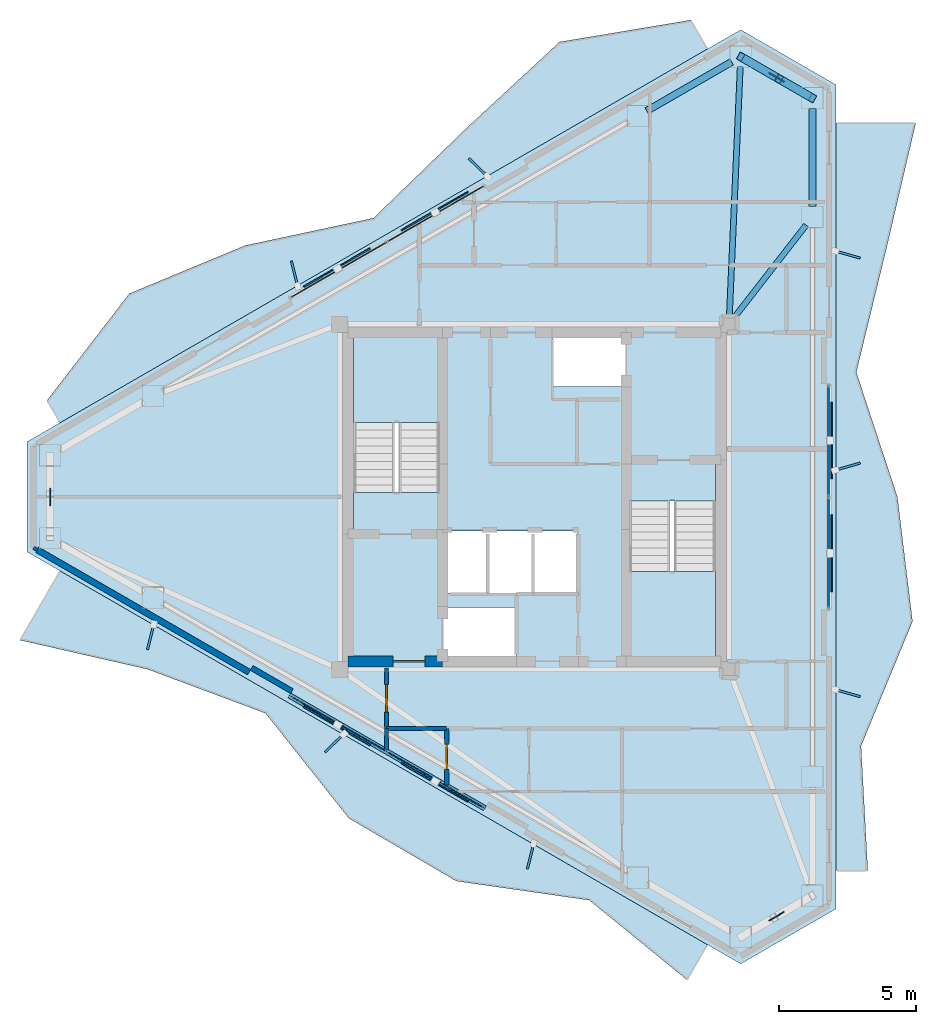
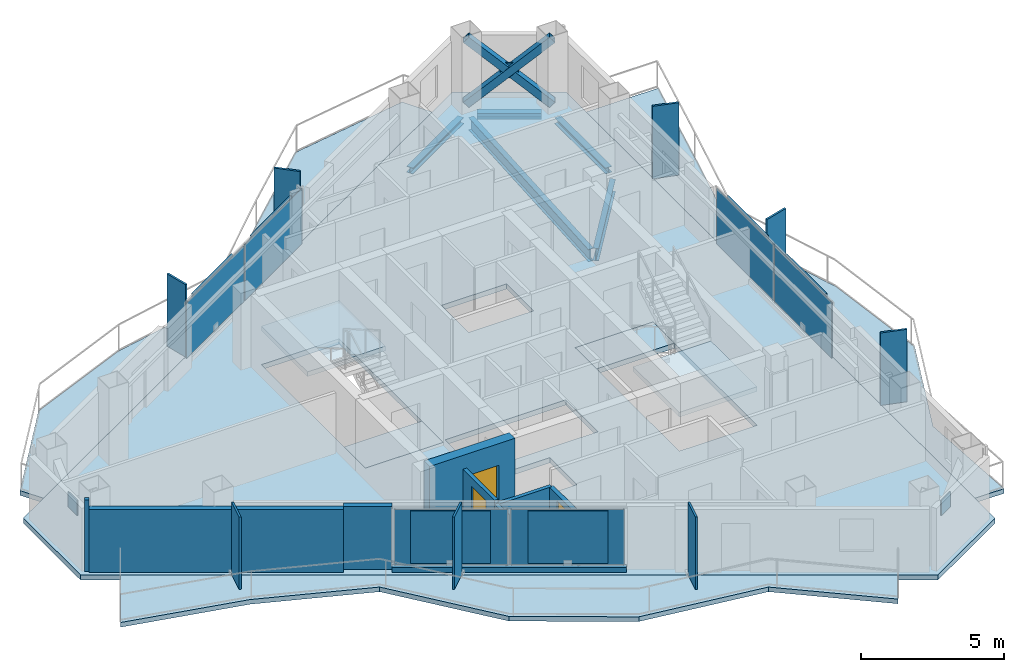
# One storey, part 13 of 18: 23 plates, 9 walls, 8 slabs, 5 beams, 3 doors, 3 members, 3 openings, 5 elements without a shape of their own.
"""IFC4 building model written with IfcOpenShell, lengths in metres."""

from ifc_helpers import new_model, si_unit, direction, frame, frame_2d, origin, origin_2d, place, context, subcontext, project, spatial, polyline, rectangle, hollow_rectangle, i_section, outline, extrude, material, layer, layer_set, material_profile, profile_set, type_object, element, fill, aggregate, save


model = new_model("IFC4")

# Units and contexts
model_context = context("Model", 3, precision=1e-05, world=origin(), true_north=direction((0.0, 1.0)))
body_context = subcontext(model_context, "Body", "Model", "MODEL_VIEW")
ifc_project = project(units=[si_unit("LENGTHUNIT", "METRE"), si_unit("AREAUNIT", "SQUARE_METRE"), si_unit("VOLUMEUNIT", "CUBIC_METRE"), si_unit("PLANEANGLEUNIT", "RADIAN"), si_unit("MASSUNIT", "GRAM", prefix="KILO")], contexts=[model_context])

# Site, building, storey
site_placement = place(None, origin())
site = spatial("IfcSite", under=ifc_project, at=site_placement, CompositionType="ELEMENT")
building_placement = place(site_placement, origin())
building = spatial("IfcBuilding", under=site, at=building_placement, Name="Mersakhor Tower and Convention Hall", CompositionType="ELEMENT")
storey_placement = place(building_placement, frame((0.0, 0.0, 226.5)))
storey = spatial("IfcBuildingStorey", under=building, at=storey_placement, Name="L63", CompositionType="ELEMENT", Elevation=226.5)

# Beams
ifc_material_1 = material(Name="Steel S355", Category="steel")
ifc_material_profile_1 = material_profile(ifc_material_1, i_section(OverallWidth=0.2099609375, OverallDepth=0.53662109375, WebThickness=0.0107421875, FlangeThickness=0.017333984375, at=origin_2d()), Name="UB 533x210x101")
ifc_profile_set_1 = profile_set([ifc_material_profile_1], Name="Steel S355")
beam_type_1 = type_object("IfcBeamType", Name="BM-FB-533", PredefinedType="BEAM", material=ifc_profile_set_1)
beam_1_placement = place(storey_placement, frame((36.1123046875, 33.32958984375, -0.48828125), z_axis=(0.043540774519, 0.999051650794, 0.0), x_axis=(-0.999051650794, 0.043540774519, 0.0)))
element("IfcBeam", 1, at=beam_1_placement, inside=storey, type_object=beam_type_1, Name="L63 Primary Floor Girder FG-2", PredefinedType="BEAM", context=body_context, shape_type="SweptSolid", body=[
    extrude(i_section(OverallWidth=0.2099609375, OverallDepth=0.53662109375, WebThickness=0.0107421875, FlangeThickness=0.017333984375, at=origin_2d()), origin(), (0.0, 0.0, 1.0), 9.10595703125),
])
beam_2_placement = place(storey_placement, frame((36.27197265625, 33.27099609375, -0.48828125), z_axis=(0.614066533088, 0.789254263809, 0.0), x_axis=(-0.789254263809, 0.614066533088, 0.0)))
element("IfcBeam", 2, at=beam_2_placement, inside=storey, type_object=beam_type_1, Name="L63 Primary Floor Girder FG-3", PredefinedType="BEAM", context=body_context, shape_type="SweptSolid", body=[
    extrude(i_section(OverallWidth=0.2099609375, OverallDepth=0.53662109375, WebThickness=0.0107421875, FlangeThickness=0.017333984375, at=origin_2d()), origin(), (0.0, 0.0, 1.0), 4.295166015625),
])
ifc_material_2 = material(Name="Steel S355", Category="steel")
ifc_material_profile_2 = material_profile(ifc_material_2, i_section(OverallWidth=0.25634765625, OverallDepth=0.26025390625, WebThickness=0.01025390625, FlangeThickness=0.017333984375, at=origin_2d()), Name="UC 254x254x89")
ifc_profile_set_2 = profile_set([ifc_material_profile_2], Name="Steel S355")
beam_type_2 = type_object("IfcBeamType", Name="BM-SPD-UC254", PredefinedType="SPANDREL", material=ifc_profile_set_2)
beam_3_placement = place(storey_placement, frame((33.1005859375, 40.829345703125, -0.35009765625), z_axis=(0.866002454009, 0.500039748071, 0.0), x_axis=(-0.500039748071, 0.866002454009, 0.0)))
element("IfcBeam", 3, at=beam_3_placement, inside=storey, type_object=beam_type_2, Name="L63 Perimeter Spandrel Beam SPB-03", PredefinedType="SPANDREL", context=body_context, shape_type="SweptSolid", body=[
    extrude(i_section(OverallWidth=0.25634765625, OverallDepth=0.26025390625, WebThickness=0.01025390625, FlangeThickness=0.017333984375, at=origin_2d()), origin(), (0.0, 0.0, 1.0), 3.574462890625),
])
beam_4_placement = place(storey_placement, frame((36.854248046875, 42.61669921875, -0.35009765625), z_axis=(0.866016678684, -0.500015112013, 0.0), x_axis=(0.500015112013, 0.866016678684, 0.0)))
element("IfcBeam", 4, at=beam_4_placement, inside=storey, type_object=beam_type_2, Name="L63 Perimeter Spandrel Beam SPB-04", PredefinedType="SPANDREL", context=body_context, shape_type="SweptSolid", body=[
    extrude(i_section(OverallWidth=0.25634765625, OverallDepth=0.26025390625, WebThickness=0.01025390625, FlangeThickness=0.017333984375, at=origin_2d()), origin(), (0.0, 0.0, 1.0), 2.2626953125),
])
beam_5_placement = place(storey_placement, frame((39.142822265625, 40.915283203125, -0.35009765625), z_axis=(0.0, -1.0, 0.0), x_axis=(1.0, 0.0, 0.0)))
element("IfcBeam", 5, at=beam_5_placement, inside=storey, type_object=beam_type_2, Name="L63 Perimeter Spandrel Beam SPB-05", PredefinedType="SPANDREL", context=body_context, shape_type="SweptSolid", body=[
    extrude(i_section(OverallWidth=0.25634765625, OverallDepth=0.26025390625, WebThickness=0.01025390625, FlangeThickness=0.017333984375, at=origin_2d()), origin(), (0.0, 0.0, 1.0), 3.574462890625),
])

# Members
ifc_material_3 = material(Name="Steel S355", Category="steel")
ifc_material_profile_3 = material_profile(ifc_material_3, hollow_rectangle(XDim=0.300048828125, YDim=0.300048828125, WallThickness=0.01611328125, at=origin_2d()), Name="SHS 300x300x16")
ifc_profile_set_3 = profile_set([ifc_material_profile_3], Name="Steel S355")
member_type = type_object("IfcMemberType", Name="MB-BRC-SHS300", PredefinedType="BRACE", material=ifc_profile_set_3)
member_placement = place(storey_placement, frame((36.525146484375, 42.806640625, 0.14990234375), z_axis=(0.637423019708, -0.367995569109, 0.676957277132), x_axis=(0.499978822259, 0.866037630414, 0.0)))
element("IfcMember", 6, at=member_placement, inside=storey, type_object=member_type, Name="L63 Chamfer Braced Frame Diagonal CB-1A", PredefinedType="BRACE", context=body_context, shape_type="SweptSolid", body=[
    extrude(hollow_rectangle(XDim=0.300048828125, YDim=0.300048828125, WallThickness=0.01611328125, at=origin_2d()), origin(), (0.0, 0.0, 1.0), 4.106689453125),
])
for number, where, z_axis, x_axis, name in (
    (7, (39.142822265625, 41.29541015625, 0.14990234375), (-0.6374128848, 0.367990943802, 0.676969334291), (-0.499980071345, -0.866036909293, 0.0), "L63 Chamfer Braced Frame Diagonal CB-1B Lower Half"),
    (8, (37.73291015625, 42.109375, 1.647216796875), (-0.6374128848, 0.367990943802, 0.676969334291), (-0.499980071345, -0.866036909293, 0.0), "L63 Chamfer Braced Frame Diagonal CB-1B Upper Half"),
):
    element("IfcMember", number, at=place(storey_placement, frame(where, z_axis=z_axis, x_axis=x_axis)), inside=storey, type_object=member_type, Name=name, PredefinedType="BRACE", context=body_context, shape_type="SweptSolid", body=[
        extrude(hollow_rectangle(XDim=0.300048828125, YDim=0.300048828125, WallThickness=0.01611328125, at=origin_2d()), origin(), (0.0, 0.0, 1.0), 1.894775390625),
    ])

# Curtain wall, plates
ifc_material_4 = material(Name="Dark solar low-E aluminium curtain wall", Category="aluminium")
ifc_layer_1 = layer(ifc_material_4, 0.179931640625)
ifc_layer_set_1 = layer_set([ifc_layer_1], Name="Dark solar low-E aluminium curtain wall")
curtain_wall_type = type_object("IfcCurtainWallType", Name="CW-SYS-03", PredefinedType="USERDEFINED", material=ifc_layer_set_1)
curtain_wall_1_placement = place(storey_placement, origin())
curtain_wall_1 = element("IfcCurtainWall", 9, at=curtain_wall_1_placement, inside=storey, type_object=curtain_wall_type, Name="L63 Dark-Glass Curtain Wall F1-B2", ObjectType="CURTAIN WALL", PredefinedType="USERDEFINED")
ifc_material_5 = material(Name="Dark solar double glazing", Category="glass")
ifc_layer_2 = layer(ifc_material_5, 0.031982421875)
ifc_layer_set_2 = layer_set([ifc_layer_2], Name="Dark solar double glazing")
plate_type_1 = type_object("IfcPlateType", Name="CWP-GLZ-32", PredefinedType="CURTAIN_PANEL", material=ifc_layer_set_2)
plate_1_placement = place(storey_placement, frame((21.863525390625, 35.034423828125, 0.260009765625), z_axis=(0.0, 0.0, 1.0), x_axis=(0.86602285698, 0.500004411169, 0.0)))
plate_1 = element("IfcPlate", 10, at=plate_1_placement, type_object=plate_type_1, Name="CW-03 panel 1.1", PredefinedType="CURTAIN_PANEL", context=body_context, shape_type="SweptSolid", body=[
    extrude(rectangle(XDim=4.00146484375, YDim=0.031982421875, at=origin_2d()), origin(), (0.0, 0.0, 1.0), 2.3798828125),
])
plate_2_placement = place(storey_placement, frame((25.393798828125, 37.07275390625, 0.260009765625), z_axis=(0.0, 0.0, 1.0), x_axis=(0.86602285698, 0.500004411169, 0.0)))
plate_2 = element("IfcPlate", 11, at=plate_2_placement, type_object=plate_type_1, Name="CW-03 panel 2.1", PredefinedType="CURTAIN_PANEL", context=body_context, shape_type="SweptSolid", body=[
    extrude(rectangle(XDim=4.00146484375, YDim=0.031982421875, at=origin_2d()), origin(), (0.0, 0.0, 1.0), 2.3798828125),
])
aggregate(curtain_wall_1, [plate_1, plate_2])

curtain_wall_2_placement = place(storey_placement, origin())
curtain_wall_2 = element("IfcCurtainWall", 12, at=curtain_wall_2_placement, inside=storey, type_object=curtain_wall_type, Name="L63 Dark-Glass Curtain Wall F2-B2", ObjectType="CURTAIN WALL", PredefinedType="USERDEFINED")
plate_3_placement = place(storey_placement, frame((39.742919921875, 28.7880859375, 0.260009765625), z_axis=(0.0, 0.0, 1.0), x_axis=(0.0, -1.0, 0.0)))
plate_3 = element("IfcPlate", 13, at=plate_3_placement, type_object=plate_type_1, Name="CW-03 panel 1.1", PredefinedType="CURTAIN_PANEL", context=body_context, shape_type="SweptSolid", body=[
    extrude(rectangle(XDim=4.00146484375, YDim=0.031982421875, at=origin_2d()), origin(), (0.0, 0.0, 1.0), 2.3798828125),
])
plate_4_placement = place(storey_placement, frame((39.742919921875, 24.7119140625, 0.260009765625), z_axis=(0.0, 0.0, 1.0), x_axis=(0.0, -1.0, 0.0)))
plate_4 = element("IfcPlate", 14, at=plate_4_placement, type_object=plate_type_1, Name="CW-03 panel 2.1", PredefinedType="CURTAIN_PANEL", context=body_context, shape_type="SweptSolid", body=[
    extrude(rectangle(XDim=4.00146484375, YDim=0.031982421875, at=origin_2d()), origin(), (0.0, 0.0, 1.0), 2.3798828125),
])
aggregate(curtain_wall_2, [plate_3, plate_4])

curtain_wall_3_placement = place(storey_placement, origin())
curtain_wall_3 = element("IfcCurtainWall", 15, at=curtain_wall_3_placement, inside=storey, type_object=curtain_wall_type, Name="L63 Dark-Glass Curtain Wall F3-B2", ObjectType="CURTAIN WALL", PredefinedType="USERDEFINED")
plate_5_placement = place(storey_placement, frame((25.393798828125, 16.42724609375, 0.260009765625), z_axis=(0.0, 0.0, 1.0), x_axis=(-0.86602285698, 0.500004411169, 0.0)))
plate_5 = element("IfcPlate", 16, at=plate_5_placement, type_object=plate_type_1, Name="CW-03 panel 1.1", PredefinedType="CURTAIN_PANEL", context=body_context, shape_type="SweptSolid", body=[
    extrude(rectangle(XDim=4.00146484375, YDim=0.031982421875, at=origin_2d()), origin(), (0.0, 0.0, 1.0), 2.3798828125),
])
plate_6_placement = place(storey_placement, frame((21.863525390625, 18.465576171875, 0.260009765625), z_axis=(0.0, 0.0, 1.0), x_axis=(-0.86602285698, 0.500004411169, 0.0)))
plate_6 = element("IfcPlate", 17, at=plate_6_placement, type_object=plate_type_1, Name="CW-03 panel 2.1", PredefinedType="CURTAIN_PANEL", context=body_context, shape_type="SweptSolid", body=[
    extrude(rectangle(XDim=4.00146484375, YDim=0.031982421875, at=origin_2d()), origin(), (0.0, 0.0, 1.0), 2.3798828125),
])
aggregate(curtain_wall_3, [plate_5, plate_6])

# Plates
ifc_material_6 = material(Name="Ceramic-clad aluminium Zone 5 ultramarine", Category="aluminium")
ifc_material_7 = material(Name="Ceramic-clad aluminium Zone 1 cobalt-slate", Category="masonry")
ifc_layer_3 = layer(ifc_material_7, 0.080078125)
ifc_layer_set_3 = layer_set([ifc_layer_3], Name="Ceramic-clad aluminium Zone 1 cobalt-slate")
plate_type_2 = type_object("IfcPlateType", Name="PL-FIN-80", PredefinedType="USERDEFINED", material=ifc_layer_set_3)
for number, where, z_axis, x_axis, name in (
    (18, (20.249755859375, 34.8955078125, 0.0), (0.0, 0.0, 1.0), (-0.2419218956, 0.970295726276, 0.0), "L63 Zone 5 Coloured Brise-Soleil Fin F1-1"),
    (19, (26.951171875, 38.7646484375, 0.0), (0.0, 0.0, 1.0), (-0.719339800339, 0.694658370459, 0.0), "L63 Zone 5 Coloured Brise-Soleil Fin F1-2"),
    (20, (40.429443359375, 35.58837890625, 0.0), (0.0, 0.0, 1.0), (0.961261695938, -0.275637355817, 0.0), "L63 Zone 5 Coloured Brise-Soleil Fin F2-1"),
    (21, (40.429443359375, 27.850341796875, 0.0), (0.0, 0.0, 1.0), (0.961261695938, 0.275637355817, 0.0), "L63 Zone 5 Coloured Brise-Soleil Fin F2-2"),
    (22, (40.429443359375, 19.58837890625, 0.0), (0.0, 0.0, 1.0), (0.961261695938, -0.275637355817, 0.0), "L63 Zone 5 Coloured Brise-Soleil Fin F2-3"),
    (23, (28.85693359375, 13.635009765625, 0.0), (0.0, 0.0, 1.0), (-0.2419218956, -0.970295726276, 0.0), "L63 Zone 5 Coloured Brise-Soleil Fin F3-1"),
    (24, (21.701904296875, 17.765869140625, 0.0), (0.0, 0.0, 1.0), (-0.719339800339, -0.694658370459, 0.0), "L63 Zone 5 Coloured Brise-Soleil Fin F3-2"),
    (25, (15.00048828125, 21.635009765625, 0.0), (0.0, 0.0, 1.0), (-0.2419218956, -0.970295726276, 0.0), "L63 Zone 5 Coloured Brise-Soleil Fin F3-3"),
):
    element("IfcPlate", number, at=place(storey_placement, frame(where, z_axis=z_axis, x_axis=x_axis)), inside=storey, type_object=plate_type_2, material=ifc_material_6, Name=name, ObjectType="FIN", PredefinedType="USERDEFINED", context=body_context, shape_type="SweptSolid", body=[
        extrude(rectangle(XDim=0.949951171875, YDim=0.080078125, at=origin_2d()), origin(), (0.0, 0.0, 1.0), 3.10009765625),
    ])
ifc_material_8 = material(Name="Steel S460", Category="steel")
ifc_layer_4 = layer(ifc_material_8, 0.0400390625)
ifc_layer_set_4 = layer_set([ifc_layer_4], Name="Steel S460")
plate_type_3 = type_object("IfcPlateType", Name="PL-GUSSET-40", PredefinedType="SHEET", material=ifc_layer_set_4)
for number, where, z_axis, x_axis, name in (
    (26, (37.833984375, 42.051025390625, 1.22021484375), (0.0, 0.0, 1.0), (-0.866025403784, 0.5, 0.0), "L63 X-Brace Crossing Gusset Node Plate"),
    (27, (37.833984375, 11.448974609375, 1.22021484375), (0.0, 0.0, 1.0), (0.866025403784, 0.5, 0.0), "L63 X-Brace Crossing Gusset Node Plate"),
    (28, (11.33203125, 26.75, 1.22021484375), (0.0, 0.0, 1.0), (0.0, -1.0, 0.0), "L63 X-Brace Crossing Gusset Node Plate"),
):
    element("IfcPlate", number, at=place(storey_placement, frame(where, z_axis=z_axis, x_axis=x_axis)), inside=storey, type_object=plate_type_3, Name=name, PredefinedType="SHEET", context=body_context, shape_type="SweptSolid", body=[
        extrude(rectangle(XDim=0.639892578125, YDim=0.0400390625, at=origin_2d()), origin(), (0.0, 0.0, 1.0), 0.639892578125),
    ])
ifc_material_9 = material(Name="Perforated ceramic cobogo solar screen", Category="aluminium")
ifc_layer_5 = layer(ifc_material_9, 0.055908203125)
ifc_layer_set_5 = layer_set([ifc_layer_5], Name="Perforated ceramic cobogo solar screen")
plate_type_4 = type_object("IfcPlateType", Name="PL-SCR-56", PredefinedType="USERDEFINED", material=ifc_layer_set_5)
for number, where, z_axis, x_axis, name in (
    (29, (21.79833984375, 35.10986328125, 0.39990234375), (0.0, 0.0, 1.0), (0.866025403784, 0.5, 0.0), "L63 Perforated Ceramic Solar Screen F1-1"),
    (30, (25.361083984375, 37.1669921875, 0.39990234375), (0.0, 0.0, 1.0), (0.866025403784, 0.5, 0.0), "L63 Perforated Ceramic Solar Screen F1-2"),
    (31, (39.8408203125, 28.806884765625, 0.39990234375), (0.0, 0.0, 1.0), (0.0, -1.0, 0.0), "L63 Perforated Ceramic Solar Screen F2-1"),
    (32, (39.8408203125, 24.693115234375, 0.39990234375), (0.0, 0.0, 1.0), (0.0, -1.0, 0.0), "L63 Perforated Ceramic Solar Screen F2-2"),
    (33, (25.36083984375, 16.3330078125, 0.39990234375), (0.0, 0.0, 1.0), (-0.866025403784, 0.5, 0.0), "L63 Perforated Ceramic Solar Screen F3-1"),
    (34, (21.798095703125, 18.389892578125, 0.39990234375), (0.0, 0.0, 1.0), (-0.866025403784, 0.5, 0.0), "L63 Perforated Ceramic Solar Screen F3-2"),
):
    element("IfcPlate", number, at=place(storey_placement, frame(where, z_axis=z_axis, x_axis=x_axis)), inside=storey, type_object=plate_type_4, Name=name, ObjectType="SCREEN", PredefinedType="USERDEFINED", context=body_context, shape_type="SweptSolid", body=[
        extrude(rectangle(XDim=2.800048828125, YDim=0.055908203125, at=origin_2d()), origin(), (0.0, 0.0, 1.0), 2.25),
    ])

# Slabs
ifc_material_10 = material(Name="Concrete C45/55", Category="concrete")
ifc_layer_6 = layer(ifc_material_10, 0.199951171875)
ifc_layer_set_6 = layer_set([ifc_layer_6], Name="Concrete C45/55")
slab_type_1 = type_object("IfcSlabType", Name="SL-BAL-200", PredefinedType="FLOOR", material=ifc_layer_set_6)
slab_1_placement = place(storey_placement, frame((0.0, 0.0, -0.199951171875)))
element("IfcSlab", 35, at=slab_1_placement, inside=storey, type_object=slab_type_1, Name="L63 Sinusoidal Balcony Slab Face 1", PredefinedType="FLOOR", context=body_context, shape_type="SweptSolid", body=[
    extrude(outline(polyline([(11.6943359375, 29.451904296875), (35.312744140625, 43.088134765625), (34.70263671875, 44.14501953125), (29.91650390625, 43.34423828125), (26.496826171875, 40.176025390625), (23.128662109375, 36.919677734375), (18.455810546875, 35.922607421875), (14.221923828125, 34.1650390625), (11.22216796875, 30.27001953125), (11.6943359375, 29.451904296875)])), origin(), (0.0, 0.0, 1.0), 0.199951171875),
])
slab_2_placement = place(storey_placement, frame((0.0, 0.0, -0.199951171875)))
element("IfcSlab", 36, at=slab_2_placement, inside=storey, type_object=slab_type_1, Name="L63 Sinusoidal Balcony Slab Face 2", PredefinedType="FLOOR", context=body_context, shape_type="SweptSolid", body=[
    extrude(outline(polyline([(39.992919921875, 40.385986328125), (39.992919921875, 13.114013671875), (41.162841796875, 13.114013671875), (40.917236328125, 17.6591796875), (42.794921875, 22.20458984375), (42.242431640625, 26.75), (40.742919921875, 31.29541015625), (41.850341796875, 35.8408203125), (42.912841796875, 40.385986328125), (39.992919921875, 40.385986328125)])), origin(), (0.0, 0.0, 1.0), 0.199951171875),
])
slab_3_placement = place(storey_placement, frame((0.0, 0.0, -0.199951171875)))
element("IfcSlab", 37, at=slab_3_placement, inside=storey, type_object=slab_type_1, Name="L63 Sinusoidal Balcony Slab Face 3", PredefinedType="FLOOR", context=body_context, shape_type="SweptSolid", body=[
    extrude(outline(polyline([(35.312744140625, 10.411865234375), (11.6943359375, 24.048095703125), (10.234375, 21.519287109375), (14.87353515625, 20.463623046875), (19.192138671875, 18.85302734375), (22.2294921875, 15.023193359375), (26.15478515625, 12.731201171875), (31.00146484375, 12.03515625), (34.5693359375, 9.124267578125), (35.312744140625, 10.411865234375)])), origin(), (0.0, 0.0, 1.0), 0.199951171875),
])
ifc_material_11 = material(Name="Concrete C40/50", Category="concrete")
ifc_layer_7 = layer(ifc_material_11, 0.219970703125)
ifc_layer_set_7 = layer_set([ifc_layer_7], Name="Concrete C40/50")
slab_type_2 = type_object("IfcSlabType", Name="SL-FLR-220", PredefinedType="FLOOR", material=ifc_layer_set_7)
slab_4_placement = place(storey_placement, frame((0.0, 0.0, -0.219970703125)))
element("IfcSlab", 38, at=slab_4_placement, inside=storey, type_object=slab_type_2, Name="L63 ST-1 Structural Stair Floor Landing", PredefinedType="LANDING", context=body_context, shape_type="SweptSolid", body=[
    extrude(outline(polyline([(25.550048828125, 25.39990234375), (25.550048828125, 26.89990234375), (22.39990234375, 26.89990234375), (22.39990234375, 25.39990234375), (25.550048828125, 25.39990234375)])), origin(), (0.0, 0.0, 1.0), 0.219970703125),
])
slab_5_placement = place(storey_placement, frame((0.0, 0.0, -0.219970703125)))
element("IfcSlab", 39, at=slab_5_placement, inside=storey, type_object=slab_type_2, Name="L63 ST-2 Structural Stair Floor Landing", PredefinedType="LANDING", context=body_context, shape_type="SweptSolid", body=[
    extrude(outline(polyline([(32.449951171875, 28.10009765625), (32.449951171875, 26.60009765625), (35.60009765625, 26.60009765625), (35.60009765625, 28.10009765625), (32.449951171875, 28.10009765625)])), origin(), (0.0, 0.0, 1.0), 0.219970703125),
])
slab_6_placement = place(storey_placement, frame((0.0, 0.0, -0.219970703125)))
element("IfcSlab", 40, at=slab_6_placement, inside=storey, type_object=slab_type_2, Name="Tower L63 Structural Floor Slab", PredefinedType="FLOOR", context=body_context, shape_type="SweptSolid", body=[
    extrude(outline(polyline([(10.48193359375, 28.751953125), (36.525146484375, 43.7880859375), (39.992919921875, 41.7861328125), (39.992919921875, 11.7138671875), (36.525146484375, 9.7119140625), (10.48193359375, 24.748046875), (10.48193359375, 28.751953125)]), holes=[polyline([(25.550048828125, 25.39990234375), (25.550048828125, 32.699951171875), (22.39990234375, 32.699951171875), (22.39990234375, 25.39990234375), (25.550048828125, 25.39990234375)]), polyline([(32.449951171875, 28.10009765625), (32.449951171875, 20.800048828125), (35.60009765625, 20.800048828125), (35.60009765625, 28.10009765625), (32.449951171875, 28.10009765625)]), polyline([(25.679931640625, 20.820068359375), (25.679931640625, 22.719970703125), (28.320068359375, 22.719970703125), (28.320068359375, 20.820068359375), (25.679931640625, 20.820068359375)]), polyline([(29.679931640625, 30.780029296875), (29.679931640625, 32.679931640625), (32.320068359375, 32.679931640625), (32.320068359375, 30.780029296875), (29.679931640625, 30.780029296875)]), polyline([(25.679931640625, 23.25), (25.679931640625, 25.5), (30.570068359375, 25.5), (30.570068359375, 23.25), (25.679931640625, 23.25)])]), origin(), (0.0, 0.0, 1.0), 0.219970703125),
])

# Stair, slab
ifc_material_12 = material(Name="Concrete C45/55", Category="concrete")
stair_type = type_object("IfcStairType", Name="ST-TWR-20R", PredefinedType="HALF_TURN_STAIR", material=ifc_material_12)
stair_1_placement = place(storey_placement, origin())
stair_1 = element("IfcStair", 41, at=stair_1_placement, inside=storey, type_object=stair_type, Name="L63 Tower Protected Exit Stair ST-1", PredefinedType="HALF_TURN_STAIR")
ifc_material_13 = material(Name="Concrete C45/55", Category="concrete")
ifc_layer_8 = layer(ifc_material_13, 0.199951171875)
ifc_layer_set_8 = layer_set([ifc_layer_8], Name="Concrete C45/55")
slab_type_3 = type_object("IfcSlabType", Name="SL-LAND-200", PredefinedType="LANDING", material=ifc_layer_set_8)
slab_7_placement = place(storey_placement, frame((0.0, 0.0, 1.449951171875)))
slab_7 = element("IfcSlab", 42, at=slab_7_placement, type_object=slab_type_3, Name="ST-1 landing 1", PredefinedType="LANDING", context=body_context, shape_type="SweptSolid", body=[
    extrude(outline(polyline([(25.550048828125, 29.465087890625), (25.550048828125, 32.699951171875), (22.39990234375, 32.699951171875), (22.39990234375, 29.465087890625), (25.550048828125, 29.465087890625)])), origin(), (0.0, 0.0, 1.0), 0.199951171875),
])
aggregate(stair_1, [slab_7])

stair_2_placement = place(storey_placement, origin())
stair_2 = element("IfcStair", 43, at=stair_2_placement, inside=storey, type_object=stair_type, Name="L63 Tower Protected Exit Stair ST-2", PredefinedType="HALF_TURN_STAIR")
slab_8_placement = place(storey_placement, frame((0.0, 0.0, 1.449951171875)))
slab_8 = element("IfcSlab", 44, at=slab_8_placement, type_object=slab_type_3, Name="ST-2 landing 1", PredefinedType="LANDING", context=body_context, shape_type="SweptSolid", body=[
    extrude(outline(polyline([(32.449951171875, 24.034912109375), (32.449951171875, 20.800048828125), (35.60009765625, 20.800048828125), (35.60009765625, 24.034912109375), (32.449951171875, 24.034912109375)])), origin(), (0.0, 0.0, 1.0), 0.199951171875),
])
aggregate(stair_2, [slab_8])

# Walls
ifc_material_14 = material(Name="Precast concrete C40/50", Category="concrete")
ifc_layer_9 = layer(ifc_material_14, 0.22509765625)
ifc_layer_set_9 = layer_set([ifc_layer_9], Name="Precast concrete C40/50")
wall_type_1 = type_object("IfcWallType", Name="WL-EXT-225", PredefinedType="SOLIDWALL", material=ifc_layer_set_9)
wall_1_placement = place(storey_placement, frame((18.593505859375, 20.353515625, 0.0), z_axis=(0.0, 0.0, 1.0), x_axis=(-0.866026655105, 0.499997832642, 0.0)))
element("IfcWall", 45, at=wall_1_placement, inside=storey, type_object=wall_type_1, Name="L63 Exterior Facade Wall F3-B3", PredefinedType="SOLIDWALL", context=body_context, shape_type="SweptSolid", body=[
    extrude(rectangle(XDim=8.927734375, YDim=0.22509765625, at=frame_2d((4.4638671875, 0.0))), origin(), (0.0, 0.0, 1.0), 2.699951171875),
])
ifc_material_15 = material(Name="Precast concrete C40/50", Category="concrete")
ifc_layer_10 = layer(ifc_material_15, 0.199951171875)
ifc_layer_set_10 = layer_set([ifc_layer_10], Name="Precast concrete C40/50")
wall_type_2 = type_object("IfcWallType", Name="WL-PAR-200", PredefinedType="PARAPET", material=ifc_layer_set_10)
wall_2_placement = place(storey_placement, frame((27.19140625, 15.389404296875, 0.0), z_axis=(0.0, 0.0, 1.0), x_axis=(-0.866019557082, 0.500010126649, 0.0)))
element("IfcWall", 46, at=wall_2_placement, inside=storey, type_object=wall_type_2, Name="L63 Curtain Wall Upstand Sill F3-B2", PredefinedType="PARAPET", context=body_context, shape_type="SweptSolid", body=[
    extrude(rectangle(XDim=8.227783203125, YDim=0.199951171875, at=frame_2d((4.11376953125, 0.0))), origin(), (0.0, 0.0, 1.0), 0.199951171875),
])
wall_3_placement = place(storey_placement, frame((20.156005859375, 19.6591796875, 0.0), z_axis=(0.0, 0.0, 1.0), x_axis=(-0.866025371046, 0.500000056704, 0.0)))
element("IfcWall", 47, at=wall_3_placement, inside=storey, type_object=wall_type_2, Name="L63 Column Pier Cladding Wall F3-C2", PredefinedType="PARAPET", context=body_context, shape_type="SweptSolid", body=[
    extrude(rectangle(XDim=1.7001953125, YDim=0.199951171875, at=frame_2d((0.85009765625, 0.0))), origin(), (0.0, 0.0, 1.0), 2.699951171875),
])

# Wall, opening, door
ifc_material_16 = material(Name="Moisture-resistant acoustic drywall studwork", Category="other")
ifc_layer_11 = layer(ifc_material_16, 0.175048828125)
ifc_layer_set_11 = layer_set([ifc_layer_11], Name="Moisture-resistant acoustic drywall studwork")
wall_type_3 = type_object("IfcWallType", Name="WL-PLM-175", PredefinedType="PLUMBINGWALL", material=ifc_layer_set_11)
wall_4_placement = place(storey_placement, frame((25.800048828125, 16.239013671875, 0.0), z_axis=(0.0, 0.0, 1.0), x_axis=(0.0, 1.0, 0.0)))
wall_4 = element("IfcWall", 48, at=wall_4_placement, inside=storey, type_object=wall_type_3, Name="L63 Interior Partition Wall P-041", PredefinedType="PLUMBINGWALL", context=body_context, shape_type="SweptSolid", body=[
    extrude(rectangle(XDim=2.06103515625, YDim=0.175048828125, at=frame_2d((1.030517578125, 0.0))), origin(), (0.0, 0.0, 1.0), 2.364990234375),
])
opening_1_placement = place(wall_4_placement, frame((0.58056640625, 0.0, 0.0)))
opening_1 = element("IfcOpeningElement", 49, at=opening_1_placement, cuts=wall_4, Name="Opening WD-01", PredefinedType="OPENING", context=body_context, shape_type="SweptSolid", body=[
    extrude(rectangle(XDim=0.89990234375, YDim=2.10009765625, at=frame_2d((0.449951171875, 1.050048828125))), frame((0.0, 0.097412109375, 0.0), z_axis=(0.0, -1.0, 0.0), x_axis=(1.0, 0.0, 0.0)), (0.0, 0.0, 1.0), 0.195068359375),
])
ifc_material_17 = material(Name="Solid-core hardwood leaf in painted steel frame", Category="steel")
door_type_1 = type_object("IfcDoorType", Name="DR-INT-WET-090x210", OperationType="NOTDEFINED", PredefinedType="DOOR", material=ifc_material_17)
door_1_placement = place(opening_1_placement, origin())
door_1 = element("IfcDoor", 50, at=door_1_placement, inside=storey, type_object=door_type_1, Name="L63 L63 Flat S2 Apartment Hall to L63 Flat S2 Bathroom Door", OperationType="SINGLE_SWING_LEFT", OverallHeight=2.10009765625, OverallWidth=0.89990234375, PredefinedType="DOOR", context=body_context, shape_type="SweptSolid", body=[
    extrude(rectangle(XDim=0.89990234375, YDim=2.10009765625, at=frame_2d((0.449951171875, 1.050048828125))), frame((0.0, 0.02490234375, 0.0), z_axis=(0.0, -1.0, 0.0), x_axis=(1.0, 0.0, 0.0)), (0.0, 0.0, 1.0), 0.050048828125),
])
fill(opening_1, door_1)

# Walls
ifc_material_18 = material(Name="Gypsum board acoustic partition", Category="other")
ifc_layer_12 = layer(ifc_material_18, 0.125)
ifc_layer_set_12 = layer_set([ifc_layer_12], Name="Gypsum board acoustic partition")
wall_type_4 = type_object("IfcWallType", Name="WL-PRT-125", PredefinedType="PARTITIONING", material=ifc_layer_set_12)
wall_5_placement = place(storey_placement, frame((10.86181640625, 24.817138671875, 0.0), z_axis=(0.0, 0.0, 1.0), x_axis=(-0.866131372301, 0.499816412211, 0.0)))
element("IfcWall", 51, at=wall_5_placement, inside=storey, type_object=wall_type_4, Name="L63 Interior Partition Wall P-059", PredefinedType="PARTITIONING", context=body_context, shape_type="SweptSolid", body=[
    extrude(rectangle(XDim=0.14990234375, YDim=0.125, at=frame_2d((0.074951171875, 0.0))), origin(), (0.0, 0.0, 1.0), 3.080078125),
])
ifc_material_19 = material(Name="Fire-rated gypsum board stud partition", Category="other")
ifc_layer_13 = layer(ifc_material_19, 0.14990234375)
ifc_layer_set_13 = layer_set([ifc_layer_13], Name="Fire-rated gypsum board stud partition")
wall_type_5 = type_object("IfcWallType", Name="WL-PRT-150", PredefinedType="PARTITIONING", material=ifc_layer_set_13)
wall_6_placement = place(storey_placement, frame((25.800048828125, 18.300048828125, 0.0), z_axis=(0.0, 0.0, 1.0), x_axis=(-1.0, 0.0, 0.0)))
element("IfcWall", 52, at=wall_6_placement, inside=storey, type_object=wall_type_5, Name="L63 Interior Partition Wall P-033", PredefinedType="PARTITIONING", context=body_context, shape_type="SweptSolid", body=[
    extrude(rectangle(XDim=2.199951171875, YDim=0.14990234375, at=frame_2d((1.10009765625, 0.0))), origin(), (0.0, 0.0, 1.0), 2.364990234375),
])

# Wall, opening, door
wall_7_placement = place(storey_placement, frame((23.60009765625, 18.300048828125, 0.0), z_axis=(0.0, 0.0, 1.0), x_axis=(0.0, 1.0, 0.0)))
wall_7 = element("IfcWall", 53, at=wall_7_placement, inside=storey, type_object=wall_type_5, Name="L63 Interior Partition Wall P-034", PredefinedType="PARTITIONING", context=body_context, shape_type="SweptSolid", body=[
    extrude(rectangle(XDim=2.199951171875, YDim=0.14990234375, at=frame_2d((1.10009765625, 0.0))), origin(), (0.0, 0.0, 1.0), 2.5283203125),
])
opening_2_placement = place(wall_7_placement, frame((0.60009765625, 0.0, 0.0)))
opening_2 = element("IfcOpeningElement", 54, at=opening_2_placement, cuts=wall_7, Name="Opening FD-01", PredefinedType="OPENING", context=body_context, shape_type="SweptSolid", body=[
    extrude(rectangle(XDim=1.0, YDim=2.14990234375, at=frame_2d((0.5, 1.074951171875))), frame((0.0, 0.0849609375, 0.0), z_axis=(0.0, -1.0, 0.0), x_axis=(1.0, 0.0, 0.0)), (0.0, 0.0, 1.0), 0.169921875),
])
ifc_material_20 = material(Name="Fire-rated hardwood leaf and painted steel frame", Category="steel")
door_type_2 = type_object("IfcDoorType", Name="DR-INT-FLT-100x215", OperationType="NOTDEFINED", PredefinedType="DOOR", material=ifc_material_20)
door_2_placement = place(opening_2_placement, origin())
door_2 = element("IfcDoor", 55, at=door_2_placement, inside=storey, type_object=door_type_2, Name="L63 Residential South Gallery Corridor to L63 West Crown Quiet Focus Lounge Door", OperationType="SINGLE_SWING_RIGHT", OverallHeight=2.14990234375, OverallWidth=1.0, PredefinedType="DOOR", context=body_context, shape_type="SweptSolid", body=[
    extrude(rectangle(XDim=1.0, YDim=2.14990234375, at=frame_2d((0.5, 1.074951171875))), frame((0.0, 0.02490234375, 0.0), z_axis=(0.0, -1.0, 0.0), x_axis=(1.0, 0.0, 0.0)), (0.0, 0.0, 1.0), 0.050048828125),
])
fill(opening_2, door_2)

# Wall
wall_8_placement = place(storey_placement, frame((23.60009765625, 17.50927734375, 0.0), z_axis=(0.0, 0.0, 1.0), x_axis=(0.0, 1.0, 0.0)))
element("IfcWall", 56, at=wall_8_placement, inside=storey, type_object=wall_type_5, Name="L63 Interior Partition Wall P-049", PredefinedType="PARTITIONING", context=body_context, shape_type="SweptSolid", body=[
    extrude(rectangle(XDim=0.790771484375, YDim=0.14990234375, at=frame_2d((0.3955078125, 0.0))), origin(), (0.0, 0.0, 1.0), 2.364990234375),
])

# Wall, opening, door
ifc_material_21 = material(Name="Concrete C60/75", Category="concrete")
ifc_layer_14 = layer(ifc_material_21, 0.39990234375)
ifc_layer_set_14 = layer_set([ifc_layer_14], Name="Concrete C60/75")
wall_type_6 = type_object("IfcWallType", Name="WL-SHR-400", PredefinedType="SHEAR", material=ifc_layer_set_14)
wall_9_placement = place(storey_placement, frame((25.64990234375, 20.75, 0.0), z_axis=(0.0, 0.0, 1.0), x_axis=(-1.0, 0.0, 0.0)))
wall_9 = element("IfcWall", 57, at=wall_9_placement, inside=storey, type_object=wall_type_6, Name="L63 Core Wall CW-S4", PredefinedType="SHEAR", context=body_context, shape_type="SweptSolid", body=[
    extrude(rectangle(XDim=3.449951171875, YDim=0.39990234375, at=frame_2d((1.72509765625, 0.0))), origin(), (0.0, 0.0, 1.0), 3.080078125),
])
opening_3_placement = place(wall_9_placement, frame((0.64990234375, 0.0, 0.0)))
opening_3 = element("IfcOpeningElement", 58, at=opening_3_placement, cuts=wall_9, Name="Opening SD-01", PredefinedType="OPENING", context=body_context, shape_type="SweptSolid", body=[
    extrude(rectangle(XDim=1.14990234375, YDim=2.14990234375, at=frame_2d((0.574951171875, 1.074951171875))), frame((0.0, 0.2099609375, 0.0), z_axis=(0.0, -1.0, 0.0), x_axis=(1.0, 0.0, 0.0)), (0.0, 0.0, 1.0), 0.419921875),
])
ifc_material_22 = material(Name="Fire-rated hardwood leaf and painted steel frame", Category="steel")
door_type_3 = type_object("IfcDoorType", Name="DR-INT-STAIR-115x215", OperationType="NOTDEFINED", PredefinedType="DOOR", material=ifc_material_22)
door_3_placement = place(opening_3_placement, origin())
door_3 = element("IfcDoor", 59, at=door_3_placement, inside=storey, type_object=door_type_3, Name="L63 Firefighting Lobby West Fire Door", OperationType="SINGLE_SWING_LEFT", OverallHeight=2.14990234375, OverallWidth=1.14990234375, PredefinedType="DOOR", context=body_context, shape_type="SweptSolid", body=[
    extrude(rectangle(XDim=1.14990234375, YDim=2.14990234375, at=frame_2d((0.574951171875, 1.074951171875))), frame((0.0, 0.02490234375, 0.0), z_axis=(0.0, -1.0, 0.0), x_axis=(1.0, 0.0, 0.0)), (0.0, 0.0, 1.0), 0.050048828125),
])
fill(opening_3, door_3)

save(model, "model.ifc")
